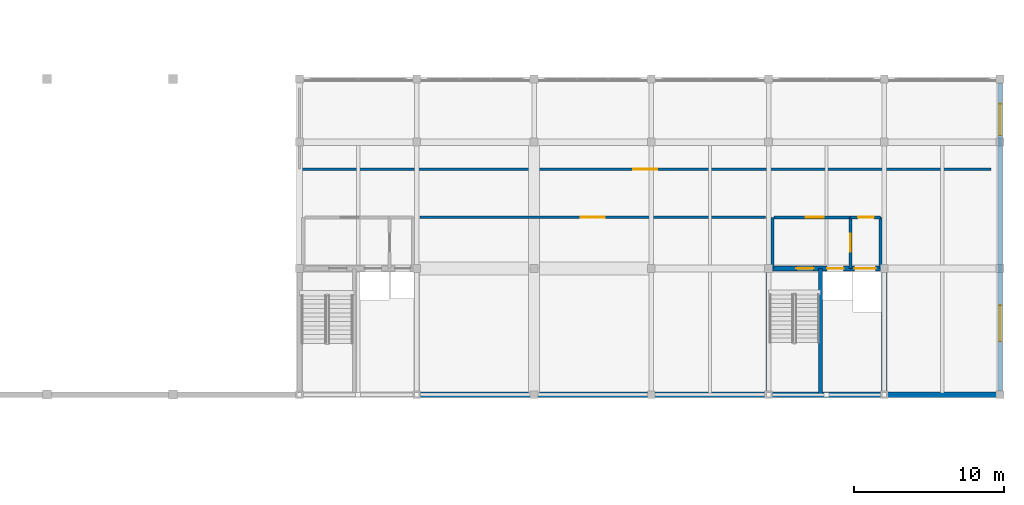
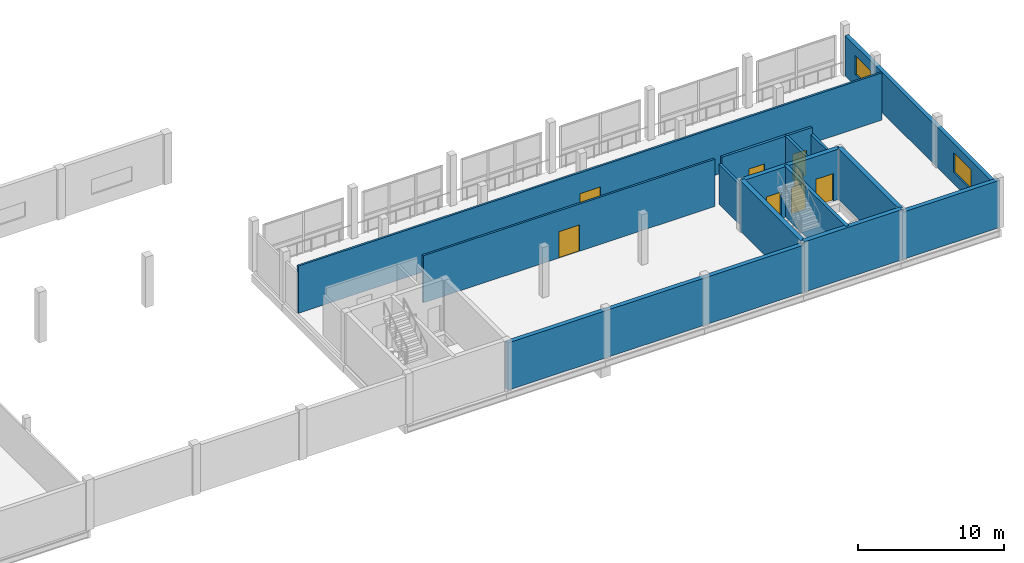
# One storey, part 44 of 53: 15 walls, 8 doors, 2 windows, 10 openings.
"""IFC4 building model written with IfcOpenShell, lengths in metres."""

import ifcopenshell
import ifcopenshell.guid

model = None  # the IFC model being written
_history = None  # IfcOwnerHistory: only IFC2X3 demands one
_inside = {}  # id of a spatial element -> (the spatial element, [elements in it])
_under = {}  # id of a project, library or spatial element -> (it, [spatial elements below it])
_declared = {}  # id of a project -> (the project, [libraries it declares])
_typed = {}  # id of a type object -> (the type object, [elements of that type])
_made_of = {}  # id of a material, layer set ... -> (it, [elements and type objects made of it])


def new_model(schema):
    """Start an empty IFC model of exactly this schema.

    Asked for "IFC4X3", IfcOpenShell would pick the latest addendum, in which some entities
    have other attributes; the version numbers below select the first issue.
    IFC2X3 requires an IfcOwnerHistory on every rooted entity: one is made here for all.
    """
    global model, _history
    if schema == "IFC4X3":
        model = ifcopenshell.file(schema_version=(4, 3, 0, 0))
    else:
        model = ifcopenshell.file(schema=schema)
    _inside.clear()
    _under.clear()
    _declared.clear()
    _typed.clear()
    _made_of.clear()
    _history = None
    if model.schema == "IFC2X3":
        org = make("IfcOrganization", Name="unknown")
        user = make(
            "IfcPersonAndOrganization",
            ThePerson=make("IfcPerson", FamilyName="unknown"),
            TheOrganization=org,
        )
        app = make(
            "IfcApplication",
            ApplicationDeveloper=org,
            Version="unknown",
            ApplicationFullName="unknown",
            ApplicationIdentifier="unknown",
        )
        _history = make(
            "IfcOwnerHistory",
            OwningUser=user,
            OwningApplication=app,
            ChangeAction="ADDED",
            CreationDate=0,
        )
    return model


def make(cls, **values):
    """One entity of the class cls with the attributes given. An attribute that is None is left unset."""
    return model.create_entity(
        cls, **{name: value for name, value in values.items() if value is not None}
    )


def rooted(cls, **values):
    """An entity with a GlobalId (a new one), such as an element, a storey or a relation."""
    return make(cls, GlobalId=ifcopenshell.guid.new(), OwnerHistory=_history, **values)


def si_unit(unit_type, name, prefix=None):
    """IfcSIUnit, for example si_unit("LENGTHUNIT", "METRE", prefix="MILLI")."""
    return make("IfcSIUnit", UnitType=unit_type, Prefix=prefix, Name=name)


def assignment(units):
    """IfcUnitAssignment: the units of a project."""
    return None if units is None else make("IfcUnitAssignment", Units=units)


def point(xyz):
    """IfcCartesianPoint."""
    return None if xyz is None else make("IfcCartesianPoint", Coordinates=xyz)


def direction(xyz):
    """IfcDirection."""
    return None if xyz is None else make("IfcDirection", DirectionRatios=xyz)


def frame(location, z_axis=None, x_axis=None):
    """IfcAxis2Placement3D, a coordinate frame: its origin and axes. An axis left out is left unset."""
    return make(
        "IfcAxis2Placement3D",
        Location=point(location),
        Axis=direction(z_axis),
        RefDirection=direction(x_axis),
    )


def frame_2d(location, x_axis=None):
    """IfcAxis2Placement2D, a coordinate frame in the plane: its origin and x axis."""
    return make(
        "IfcAxis2Placement2D", Location=point(location), RefDirection=direction(x_axis)
    )


def origin():
    """The frame at (0, 0, 0) with its axes left unset."""
    return frame((0.0, 0.0, 0.0))


def place(relative_to, where):
    """IfcLocalPlacement: puts the frame where relative to a parent placement (None: the world)."""
    return make(
        "IfcLocalPlacement", PlacementRelTo=relative_to, RelativePlacement=where
    )


def context(
    kind, dimensions, precision=None, world=None, true_north=None, identifier=None
):
    """IfcGeometricRepresentationContext, for example the 3D "Model" context."""
    return make(
        "IfcGeometricRepresentationContext",
        ContextIdentifier=identifier,
        ContextType=kind,
        CoordinateSpaceDimension=dimensions,
        Precision=precision,
        WorldCoordinateSystem=world,
        TrueNorth=true_north,
    )


def subcontext(parent, identifier, kind, view, scale=None):
    """IfcGeometricRepresentationSubContext, for example "Body" below "Model"."""
    return make(
        "IfcGeometricRepresentationSubContext",
        ContextIdentifier=identifier,
        ContextType=kind,
        ParentContext=parent,
        TargetScale=scale,
        TargetView=view,
    )


def project(units=None, contexts=None):
    """IfcProject with its units and contexts."""
    return rooted(
        "IfcProject",
        Name="project",
        RepresentationContexts=contexts,
        UnitsInContext=assignment(units),
    )


def spatial(cls, under=None, at=None, **own):
    """A site, building, storey or space (cls), placed at a placement, below another one or the project."""
    s = rooted(cls, ObjectPlacement=at, **own)
    if under is not None:
        _under.setdefault(under.id(), (under, []))[1].append(s)
    return s


def profile(cls, at=None, kind="AREA", **sizes):
    """A parametric profile (cls). Its sizes go by their IFC names, for example OverallWidth=200.0."""
    return make(cls, ProfileType=kind, Position=at, **sizes)


def rectangle(**sizes):
    """IfcRectangleProfileDef."""
    return profile("IfcRectangleProfileDef", **sizes)


def extrude(swept, where, along, depth):
    """IfcExtrudedAreaSolid: the profile swept, set in the frame where, extruded along a direction by depth."""
    return make(
        "IfcExtrudedAreaSolid",
        SweptArea=swept,
        Position=where,
        ExtrudedDirection=direction(along),
        Depth=depth,
    )


def shape(context_of_items, identifier, shape_type, items):
    """IfcShapeRepresentation: the items that make up one representation, for example the "Body"."""
    return make(
        "IfcShapeRepresentation",
        ContextOfItems=context_of_items,
        RepresentationIdentifier=identifier,
        RepresentationType=shape_type,
        Items=items,
    )


def material(Name=None, Category=None):
    """IfcMaterial."""
    return make("IfcMaterial", Name=Name, Category=Category)


def layer(
    of_material, thickness, ventilated=None, Name=None, Category=None, Priority=None
):
    """IfcMaterialLayer: one layer of a wall or slab, of a material (None: an air gap)."""
    return make(
        "IfcMaterialLayer",
        Material=of_material,
        LayerThickness=thickness,
        IsVentilated=ventilated,
        Name=Name,
        Category=Category,
        Priority=Priority,
    )


def layer_set(layers, Name=None):
    """IfcMaterialLayerSet."""
    return make("IfcMaterialLayerSet", MaterialLayers=layers, LayerSetName=Name)


def made_of(thing, what):
    """Note that an element or type object is made of a material, layer set ...; save() writes the relation."""
    if what is not None:
        _made_of.setdefault(what.id(), (what, []))[1].append(thing)
    return thing


def type_object(cls, material=None, **own):
    """A type object (cls), such as IfcWallType, which elements share."""
    return made_of(rooted(cls, **own), material)


def element(
    cls,
    number,
    at=None,
    inside=None,
    cuts=None,
    type_object=None,
    material=None,
    context=None,
    identifier="Body",
    shape_type=None,
    held_by="IfcProductDefinitionShape",
    body=None,
    shapes=None,
    **own,
):
    """One element of the class cls, such as IfcWall. Its Tag is "e" and its number.

    at: its placement. inside: the storey or other place that contains it. cuts: it is an
    opening in that element (IfcRelVoidsElement). A single representation is given by context,
    identifier, shape_type and body (its items); several are given by shapes. held_by: the class
    of the entity that holds the representations. save() writes the other relations.
    """
    e = rooted(cls, Tag="e%d" % number, ObjectPlacement=at, **own)
    if body is not None:
        shapes = [shape(context, identifier, shape_type, body)]
    if shapes is not None:
        e.Representation = make(held_by, Representations=shapes)
    if inside is not None:
        _inside.setdefault(inside.id(), (inside, []))[1].append(e)
    if cuts is not None:
        rooted(
            "IfcRelVoidsElement", RelatingBuildingElement=cuts, RelatedOpeningElement=e
        )
    if type_object is not None:
        _typed.setdefault(type_object.id(), (type_object, []))[1].append(e)
    return made_of(e, material)


def fill(opening, filler):
    """IfcRelFillsElement: the door or window that sits in an opening."""
    return rooted(
        "IfcRelFillsElement",
        RelatingOpeningElement=opening,
        RelatedBuildingElement=filler,
    )


def aggregate(whole, parts):
    """IfcRelAggregates: a whole, such as a stair, and the parts it consists of."""
    return rooted("IfcRelAggregates", RelatingObject=whole, RelatedObjects=parts)


def save(model, path):
    """Write the relations noted so far, then the file.

    IfcRelAggregates (storeys below a building ...), IfcRelContainedInSpatialStructure (elements
    in a storey), IfcRelDefinesByType, IfcRelAssociatesMaterial and IfcRelDeclares: one each for
    every whole, place, type object, material and project.
    """
    for whole, parts in _under.values():
        aggregate(whole, parts)
    for where, things in _inside.values():
        rooted(
            "IfcRelContainedInSpatialStructure",
            RelatedElements=things,
            RelatingStructure=where,
        )
    for kind, things in _typed.values():
        rooted("IfcRelDefinesByType", RelatedObjects=things, RelatingType=kind)
    for what, things in _made_of.values():
        rooted("IfcRelAssociatesMaterial", RelatedObjects=things, RelatingMaterial=what)
    for by, libraries in _declared.values():
        rooted("IfcRelDeclares", RelatingContext=by, RelatedDefinitions=libraries)
    model.write(path)


model = new_model("IFC4")

# Units and contexts
model_context = context("Model", 3, precision=1e-05, world=origin(), true_north=direction((0.0, 1.0)))
body_context = subcontext(model_context, "Body", "Model", "MODEL_VIEW")
ifc_project = project(units=[si_unit("LENGTHUNIT", "METRE"), si_unit("AREAUNIT", "SQUARE_METRE"), si_unit("VOLUMEUNIT", "CUBIC_METRE"), si_unit("PLANEANGLEUNIT", "RADIAN"), si_unit("MASSUNIT", "GRAM", prefix="KILO")], contexts=[model_context])

# Site, building, storey
site_placement = place(None, origin())
site = spatial("IfcSite", under=ifc_project, at=site_placement, CompositionType="ELEMENT")
building_placement = place(site_placement, origin())
building = spatial("IfcBuilding", under=site, at=building_placement, Name="Vharandega Faculty of Natural Sciences", CompositionType="ELEMENT")
storey_placement = place(building_placement, frame((0.0, 0.0, 10.199951171875)))
storey = spatial("IfcBuildingStorey", under=building, at=storey_placement, Name="L02", CompositionType="ELEMENT", Elevation=10.199951171875)

# Walls
ifc_material_1 = material(Name="Concrete C40/50", Category="concrete")
ifc_layer_1 = layer(ifc_material_1, 0.35009765625, Name="Concrete C40/50")
ifc_layer_set_1 = layer_set([ifc_layer_1], Name="Concrete C40/50")
wall_type_1 = type_object("IfcWallType", Name="Core Shear Wall 350", PredefinedType="SHEAR", material=ifc_layer_set_1)
wall_1_placement = place(storey_placement, frame((146.0, 64.0, 0.0), z_axis=(0.0, 0.0, 1.0), x_axis=(1.0, 0.0, 0.0)))
element("IfcWall", 1, at=wall_1_placement, inside=storey, type_object=wall_type_1, Name="Interior Wall CW-C2-L02-S", PredefinedType="SHEAR", context=body_context, shape_type="SweptSolid", body=[
    extrude(rectangle(XDim=7.699951171875, YDim=0.35009765625, at=frame_2d((3.85009765625, 0.0))), origin(), (0.0, 0.0, 1.0), 4.199951171875),
])
for number, where, z_axis, x_axis, name in (
    (2, (146.0, 64.0, 0.0), (0.0, 0.0, 1.0), (0.0, 1.0, 0.0), "Interior Wall CW-C2-L02-W"),
    (3, (153.699951171875, 64.0, 0.0), (0.0, 0.0, 1.0), (0.0, 1.0, 0.0), "Interior Wall CW-C2-L02-E"),
):
    element("IfcWall", number, at=place(storey_placement, frame(where, z_axis=z_axis, x_axis=x_axis)), inside=storey, type_object=wall_type_1, Name=name, PredefinedType="SHEAR", context=body_context, shape_type="SweptSolid", body=[
        extrude(rectangle(XDim=8.39990234375, YDim=0.35009765625, at=frame_2d((4.199951171875, 0.0))), origin(), (0.0, 0.0, 1.0), 4.199951171875),
    ])

# Wall, openings, doors
wall_2_placement = place(storey_placement, frame((146.0, 72.39990234375, 0.0), z_axis=(0.0, 0.0, 1.0), x_axis=(1.0, 0.0, 0.0)))
wall_2 = element("IfcWall", 4, at=wall_2_placement, inside=storey, type_object=wall_type_1, Name="Interior Wall CW-C2-L02-N", PredefinedType="SHEAR", context=body_context, shape_type="SweptSolid", body=[
    extrude(rectangle(XDim=7.699951171875, YDim=0.35009765625, at=frame_2d((3.85009765625, 0.0))), origin(), (0.0, 0.0, 1.0), 4.199951171875),
])
opening_1_placement = place(wall_2_placement, frame((1.85009765625, 0.0, 0.0)))
opening_1 = element("IfcOpeningElement", 5, at=opening_1_placement, cuts=wall_2, Name="Opening FD1", PredefinedType="OPENING", context=body_context, shape_type="SweptSolid", body=[
    extrude(rectangle(XDim=1.14990234375, YDim=2.199951171875, at=frame_2d((0.574951171875, 1.10009765625))), frame((0.0, 0.18505859375, 0.0), z_axis=(0.0, -1.0, 0.0), x_axis=(1.0, 0.0, 0.0)), (0.0, 0.0, 1.0), 0.3701171875),
])
opening_2_placement = place(wall_2_placement, frame((3.89990234375, 0.0, 0.0)))
opening_2 = element("IfcOpeningElement", 6, at=opening_2_placement, cuts=wall_2, Name="Opening LD-FL2-L02", PredefinedType="OPENING", context=body_context, shape_type="SweptSolid", body=[
    extrude(rectangle(XDim=1.10009765625, YDim=2.14990234375, at=frame_2d((0.550048828125, 1.074951171875))), frame((0.0, 0.18505859375, 0.0), z_axis=(0.0, -1.0, 0.0), x_axis=(1.0, 0.0, 0.0)), (0.0, 0.0, 1.0), 0.3701171875),
])
opening_3_placement = place(wall_2_placement, frame((5.719970703125, 0.0, 0.0)))
opening_3 = element("IfcOpeningElement", 7, at=opening_3_placement, cuts=wall_2, Name="Opening LD-LG1-L02", PredefinedType="OPENING", context=body_context, shape_type="SweptSolid", body=[
    extrude(rectangle(XDim=1.39990234375, YDim=2.300048828125, at=frame_2d((0.699951171875, 1.14990234375))), frame((0.0, 0.18505859375, 0.0), z_axis=(0.0, -1.0, 0.0), x_axis=(1.0, 0.0, 0.0)), (0.0, 0.0, 1.0), 0.3701171875),
])
ifc_material_2 = material(Name="Solid-core hardwood timber fire door", Category="wood")
door_type_1 = type_object("IfcDoorType", Name="FD1-STAIR-1150x2200", OperationType="NOTDEFINED", PredefinedType="DOOR", material=ifc_material_2)
door_1_placement = place(opening_1_placement, origin())
door_1 = element("IfcDoor", 8, at=door_1_placement, inside=storey, type_object=door_type_1, Name="Stair ST2 Fire Door FD1", OperationType="SINGLE_SWING_LEFT", OverallHeight=2.199951171875, OverallWidth=1.14990234375, PredefinedType="DOOR", context=body_context, shape_type="SweptSolid", body=[
    extrude(rectangle(XDim=1.14990234375, YDim=2.199951171875, at=frame_2d((0.574951171875, 1.10009765625))), frame((0.0, 0.02490234375, 0.0), z_axis=(0.0, -1.0, 0.0), x_axis=(1.0, 0.0, 0.0)), (0.0, 0.0, 1.0), 0.050048828125),
])
fill(opening_1, door_1)
ifc_material_3 = material(Name="Brushed stainless steel sliding landing door", Category="steel")
door_type_2 = type_object("IfcDoorType", Name="LD1-FFLIFT-SLIDING-1100x2150", OperationType="DOUBLE_DOOR_SLIDING", PredefinedType="DOOR", material=ifc_material_3)
door_2_placement = place(opening_2_placement, origin())
door_2 = element("IfcDoor", 9, at=door_2_placement, inside=storey, type_object=door_type_2, Name="Lift Landing Door LD-FL2-L02", OperationType="DOUBLE_DOOR_SLIDING", OverallHeight=2.14990234375, OverallWidth=1.10009765625, PredefinedType="DOOR", context=body_context, shape_type="SweptSolid", body=[
    extrude(rectangle(XDim=1.10009765625, YDim=2.14990234375, at=frame_2d((0.550048828125, 1.074951171875))), frame((0.0, 0.02490234375, 0.0), z_axis=(0.0, -1.0, 0.0), x_axis=(1.0, 0.0, 0.0)), (0.0, 0.0, 1.0), 0.050048828125),
])
fill(opening_2, door_2)
ifc_material_4 = material(Name="Brushed stainless steel sliding landing door", Category="steel")
door_type_3 = type_object("IfcDoorType", Name="LD3-GOODSLIFT-SLIDING-1400x2300", OperationType="DOUBLE_DOOR_SLIDING", PredefinedType="DOOR", material=ifc_material_4)
door_3_placement = place(opening_3_placement, origin())
door_3 = element("IfcDoor", 10, at=door_3_placement, inside=storey, type_object=door_type_3, Name="Lift Landing Door LD-LG1-L02", OperationType="DOUBLE_DOOR_SLIDING", OverallHeight=2.300048828125, OverallWidth=1.39990234375, PredefinedType="DOOR", context=body_context, shape_type="SweptSolid", body=[
    extrude(rectangle(XDim=1.39990234375, YDim=2.300048828125, at=frame_2d((0.699951171875, 1.14990234375))), frame((0.0, 0.02490234375, 0.0), z_axis=(0.0, -1.0, 0.0), x_axis=(1.0, 0.0, 0.0)), (0.0, 0.0, 1.0), 0.050048828125),
])
fill(opening_3, door_3)

# Wall, opening, door
ifc_material_5 = material(Name="Concrete C40/50", Category="concrete")
ifc_layer_2 = layer(ifc_material_5, 0.199951171875, Name="Concrete C40/50")
ifc_layer_set_2 = layer_set([ifc_layer_2], Name="Concrete C40/50")
wall_type_2 = type_object("IfcWallType", Name="Firefighting Lobby Wall 200", PredefinedType="PARTITIONING", material=ifc_layer_set_2)
wall_3_placement = place(storey_placement, frame((146.35009765625, 75.800048828125, 0.0), z_axis=(0.0, 0.0, 1.0), x_axis=(1.0, 0.0, 0.0)))
wall_3 = element("IfcWall", 11, at=wall_3_placement, inside=storey, type_object=wall_type_2, Name="Interior Wall PW-FFL-C2-L02-N", PredefinedType="PARTITIONING", context=body_context, shape_type="SweptSolid", body=[
    extrude(rectangle(XDim=5.099853515625, YDim=0.199951171875, at=frame_2d((2.5498046875, 0.0))), origin(), (0.0, 0.0, 1.0), 3.920166015625),
])
opening_4_placement = place(wall_3_placement, frame((2.125, 0.0, 0.0)))
opening_4 = element("IfcOpeningElement", 12, at=opening_4_placement, cuts=wall_3, Name="Opening FD2", PredefinedType="OPENING", context=body_context, shape_type="SweptSolid", body=[
    extrude(rectangle(XDim=1.199951171875, YDim=2.199951171875, at=frame_2d((0.60009765625, 1.10009765625))), frame((0.0, 0.10986328125, 0.0), z_axis=(0.0, -1.0, 0.0), x_axis=(1.0, 0.0, 0.0)), (0.0, 0.0, 1.0), 0.219970703125),
])
ifc_material_6 = material(Name="Solid-core hardwood timber fire door", Category="wood")
door_type_4 = type_object("IfcDoorType", Name="FD2-FFLOBBY-1200x2200", OperationType="NOTDEFINED", PredefinedType="DOOR", material=ifc_material_6)
door_4_placement = place(opening_4_placement, origin())
door_4 = element("IfcDoor", 13, at=door_4_placement, inside=storey, type_object=door_type_4, Name="Firefighting Lobby C2 Door FD2", OperationType="SINGLE_SWING_RIGHT", OverallHeight=2.199951171875, OverallWidth=1.199951171875, PredefinedType="DOOR", context=body_context, shape_type="SweptSolid", body=[
    extrude(rectangle(XDim=1.199951171875, YDim=2.199951171875, at=frame_2d((0.60009765625, 1.10009765625))), frame((0.0, 0.02490234375, 0.0), z_axis=(0.0, -1.0, 0.0), x_axis=(1.0, 0.0, 0.0)), (0.0, 0.0, 1.0), 0.050048828125),
])
fill(opening_4, door_4)

# Wall
wall_4_placement = place(storey_placement, frame((146.25, 72.39990234375, 0.0), z_axis=(0.0, 0.0, 1.0), x_axis=(0.0, 1.0, 0.0)))
element("IfcWall", 14, at=wall_4_placement, inside=storey, type_object=wall_type_2, Name="Interior Wall PW-FFL-C2-L02-W", PredefinedType="PARTITIONING", context=body_context, shape_type="SweptSolid", body=[
    extrude(rectangle(XDim=3.400146484375, YDim=0.199951171875, at=frame_2d((1.7001953125, 0.0))), origin(), (0.0, 0.0, 1.0), 3.360107421875),
])

# Wall, opening, door
wall_5_placement = place(storey_placement, frame((151.449951171875, 72.39990234375, 0.0), z_axis=(0.0, 0.0, 1.0), x_axis=(0.0, 1.0, 0.0)))
wall_5 = element("IfcWall", 15, at=wall_5_placement, inside=storey, type_object=wall_type_2, Name="Interior Wall PW-FFL-C2-L02-E", PredefinedType="PARTITIONING", context=body_context, shape_type="SweptSolid", body=[
    extrude(rectangle(XDim=3.400146484375, YDim=0.199951171875, at=frame_2d((1.7001953125, 0.0))), origin(), (0.0, 0.0, 1.0), 3.920166015625),
])
opening_5_placement = place(wall_5_placement, frame((1.10009765625, 0.0, 0.0)))
opening_5 = element("IfcOpeningElement", 16, at=opening_5_placement, cuts=wall_5, Name="Opening FD2", PredefinedType="OPENING", context=body_context, shape_type="SweptSolid", body=[
    extrude(rectangle(XDim=1.199951171875, YDim=2.199951171875, at=frame_2d((0.60009765625, 1.10009765625))), frame((0.0, 0.10986328125, 0.0), z_axis=(0.0, -1.0, 0.0), x_axis=(1.0, 0.0, 0.0)), (0.0, 0.0, 1.0), 0.219970703125),
])
door_5_placement = place(opening_5_placement, origin())
door_5 = element("IfcDoor", 17, at=door_5_placement, inside=storey, type_object=door_type_4, Name="Lobby Interconnect C2 Door FD2", OperationType="SINGLE_SWING_LEFT", OverallHeight=2.199951171875, OverallWidth=1.199951171875, PredefinedType="DOOR", context=body_context, shape_type="SweptSolid", body=[
    extrude(rectangle(XDim=1.199951171875, YDim=2.199951171875, at=frame_2d((0.60009765625, 1.10009765625))), frame((0.0, 0.02490234375, 0.0), z_axis=(0.0, -1.0, 0.0), x_axis=(1.0, 0.0, 0.0)), (0.0, 0.0, 1.0), 0.050048828125),
])
fill(opening_5, door_5)

wall_6_placement = place(storey_placement, frame((151.449951171875, 75.800048828125, 0.0), z_axis=(0.0, 0.0, 1.0), x_axis=(1.0, 0.0, 0.0)))
wall_6 = element("IfcWall", 18, at=wall_6_placement, inside=storey, type_object=wall_type_2, Name="Interior Wall PW-LL-C2-L02-N", PredefinedType="PARTITIONING", context=body_context, shape_type="SweptSolid", body=[
    extrude(rectangle(XDim=2.0, YDim=0.199951171875, at=frame_2d((1.0, 0.0))), origin(), (0.0, 0.0, 1.0), 3.920166015625),
])
opening_6_placement = place(wall_6_placement, frame((0.5, 0.0, 0.0)))
opening_6 = element("IfcOpeningElement", 19, at=opening_6_placement, cuts=wall_6, Name="Opening FD4", PredefinedType="OPENING", context=body_context, shape_type="SweptSolid", body=[
    extrude(rectangle(XDim=1.050048828125, YDim=2.14990234375, at=frame_2d((0.52490234375, 1.074951171875))), frame((0.0, 0.10986328125, 0.0), z_axis=(0.0, -1.0, 0.0), x_axis=(1.0, 0.0, 0.0)), (0.0, 0.0, 1.0), 0.219970703125),
])
ifc_material_7 = material(Name="Solid-core hardwood timber fire door", Category="wood")
door_type_5 = type_object("IfcDoorType", Name="FD4-LAB-SGL-1050x2150", OperationType="NOTDEFINED", PredefinedType="DOOR", material=ifc_material_7)
door_6_placement = place(opening_6_placement, origin())
door_6 = element("IfcDoor", 20, at=door_6_placement, inside=storey, type_object=door_type_5, Name="Lift Lobby C2 Door FD4", OperationType="SINGLE_SWING_RIGHT", OverallHeight=2.14990234375, OverallWidth=1.050048828125, PredefinedType="DOOR", context=body_context, shape_type="SweptSolid", body=[
    extrude(rectangle(XDim=1.050048828125, YDim=2.14990234375, at=frame_2d((0.52490234375, 1.074951171875))), frame((0.0, 0.02490234375, 0.0), z_axis=(0.0, -1.0, 0.0), x_axis=(1.0, 0.0, 0.0)), (0.0, 0.0, 1.0), 0.050048828125),
])
fill(opening_6, door_6)

# Walls
wall_7_placement = place(storey_placement, frame((153.449951171875, 72.39990234375, 0.0), z_axis=(0.0, 0.0, 1.0), x_axis=(0.0, 1.0, 0.0)))
element("IfcWall", 21, at=wall_7_placement, inside=storey, type_object=wall_type_2, Name="Interior Wall PW-LL-C2-L02-E", PredefinedType="PARTITIONING", context=body_context, shape_type="SweptSolid", body=[
    extrude(rectangle(XDim=3.400146484375, YDim=0.199951171875, at=frame_2d((1.7001953125, 0.0))), origin(), (0.0, 0.0, 1.0), 3.360107421875),
])
ifc_material_8 = material(Name="Granite ashlar masonry 25 MPa", Category="masonry")
ifc_layer_3 = layer(ifc_material_8, 0.340087890625, Name="Granite ashlar masonry 25 MPa")
ifc_layer_set_3 = layer_set([ifc_layer_3], Name="Granite ashlar masonry 25 MPa")
wall_type_3 = type_object("IfcWallType", Name="Imperforate Party Wall 340", PredefinedType="SOLIDWALL", material=ifc_layer_set_3)
wall_8_placement = place(storey_placement, frame((146.0, 64.0, 0.0), z_axis=(0.0, 0.0, 1.0), x_axis=(-1.0, 0.0, 0.0)))
element("IfcWall", 22, at=wall_8_placement, inside=storey, type_object=wall_type_3, Name="Exterior Wall EW-PTY-L02-J2A", PredefinedType="SOLIDWALL", context=body_context, shape_type="SweptSolid", body=[
    extrude(rectangle(XDim=23.39990234375, YDim=0.340087890625, at=frame_2d((11.699951171875, 0.0))), origin(), (0.0, 0.0, 1.0), 3.93994140625),
])
wall_9_placement = place(storey_placement, frame((161.39990234375, 64.0, 0.0), z_axis=(0.0, 0.0, 1.0), x_axis=(-1.0, 0.0, 0.0)))
element("IfcWall", 23, at=wall_9_placement, inside=storey, type_object=wall_type_3, Name="Exterior Wall EW-PTY-L02-J2B", PredefinedType="SOLIDWALL", context=body_context, shape_type="SweptSolid", body=[
    extrude(rectangle(XDim=7.699951171875, YDim=0.340087890625, at=frame_2d((3.85009765625, 0.0))), origin(), (0.0, 0.0, 1.0), 3.93994140625),
])

# Wall, opening, door
ifc_material_9 = material(Name="Gypsum fire-board on steel stud", Category="steel")
ifc_layer_4 = layer(ifc_material_9, 0.159912109375, Name="Gypsum fire-board on steel stud")
ifc_layer_set_4 = layer_set([ifc_layer_4], Name="Gypsum fire-board on steel stud")
wall_type_4 = type_object("IfcWallType", Name="Laboratory Fire Corridor Wall 160", PredefinedType="PARTITIONING", material=ifc_layer_set_4)
wall_10_placement = place(storey_placement, frame((122.800048828125, 75.800048828125, 0.0), z_axis=(0.0, 0.0, 1.0), x_axis=(1.0, 0.0, 0.0)))
wall_10 = element("IfcWall", 24, at=wall_10_placement, inside=storey, type_object=wall_type_4, Name="Interior Wall PW-L02-R15N", PredefinedType="PARTITIONING", context=body_context, shape_type="SweptSolid", body=[
    extrude(rectangle(XDim=23.0, YDim=0.159912109375, at=frame_2d((11.5, 0.0))), origin(), (0.0, 0.0, 1.0), 3.93994140625),
])
opening_7_placement = place(wall_10_placement, frame((10.699951171875, 0.0, 0.0)))
opening_7 = element("IfcOpeningElement", 25, at=opening_7_placement, cuts=wall_10, Name="Opening FD3", PredefinedType="OPENING", context=body_context, shape_type="SweptSolid", body=[
    extrude(rectangle(XDim=1.60009765625, YDim=2.199951171875, at=frame_2d((0.800048828125, 1.10009765625))), frame((0.0, 0.08984375, 0.0), z_axis=(0.0, -1.0, 0.0), x_axis=(1.0, 0.0, 0.0)), (0.0, 0.0, 1.0), 0.179931640625),
])
ifc_material_10 = material(Name="Solid-core hardwood timber fire door", Category="wood")
door_type_6 = type_object("IfcDoorType", Name="FD3-LAB-DBL-1600x2200", OperationType="DOUBLE_DOOR_SINGLE_SWING", PredefinedType="DOOR", material=ifc_material_10)
door_7_placement = place(opening_7_placement, origin())
door_7 = element("IfcDoor", 26, at=door_7_placement, inside=storey, type_object=door_type_6, Name="Undergraduate Organic Chemistry Teaching Laboratory Door FD3", OperationType="DOUBLE_DOOR_SINGLE_SWING", OverallHeight=2.199951171875, OverallWidth=1.60009765625, PredefinedType="DOOR", context=body_context, shape_type="SweptSolid", body=[
    extrude(rectangle(XDim=1.60009765625, YDim=2.199951171875, at=frame_2d((0.800048828125, 1.10009765625))), frame((0.0, 0.02490234375, 0.0), z_axis=(0.0, -1.0, 0.0), x_axis=(1.0, 0.0, 0.0)), (0.0, 0.0, 1.0), 0.050048828125),
])
fill(opening_7, door_7)

wall_11_placement = place(storey_placement, frame((114.800048828125, 79.0, 0.0), z_axis=(0.0, 0.0, 1.0), x_axis=(1.0, 0.0, 0.0)))
wall_11 = element("IfcWall", 27, at=wall_11_placement, inside=storey, type_object=wall_type_4, Name="Interior Wall PW-L02-R16S", PredefinedType="PARTITIONING", context=body_context, shape_type="SweptSolid", body=[
    extrude(rectangle(XDim=46.0, YDim=0.159912109375, at=frame_2d((23.0, 0.0))), origin(), (0.0, 0.0, 1.0), 3.93994140625),
])
opening_8_placement = place(wall_11_placement, frame((22.199951171875, 0.0, 0.0)))
opening_8 = element("IfcOpeningElement", 28, at=opening_8_placement, cuts=wall_11, Name="Opening FD3", PredefinedType="OPENING", context=body_context, shape_type="SweptSolid", body=[
    extrude(rectangle(XDim=1.60009765625, YDim=2.199951171875, at=frame_2d((0.800048828125, 1.10009765625))), frame((0.0, 0.08984375, 0.0), z_axis=(0.0, -1.0, 0.0), x_axis=(1.0, 0.0, 0.0)), (0.0, 0.0, 1.0), 0.179931640625),
])
door_8_placement = place(opening_8_placement, origin())
door_8 = element("IfcDoor", 29, at=door_8_placement, inside=storey, type_object=door_type_6, Name="Undergraduate Physics Mechanics Laboratory Door FD3", OperationType="DOUBLE_DOOR_SINGLE_SWING", OverallHeight=2.199951171875, OverallWidth=1.60009765625, PredefinedType="DOOR", context=body_context, shape_type="SweptSolid", body=[
    extrude(rectangle(XDim=1.60009765625, YDim=2.199951171875, at=frame_2d((0.800048828125, 1.10009765625))), frame((0.0, 0.02490234375, 0.0), z_axis=(0.0, -1.0, 0.0), x_axis=(1.0, 0.0, 0.0)), (0.0, 0.0, 1.0), 0.050048828125),
])
fill(opening_8, door_8)

# Wall
ifc_material_11 = material(Name="Concrete C40/50", Category="concrete")
ifc_layer_5 = layer(ifc_material_11, 0.260009765625, Name="Concrete C40/50")
ifc_layer_set_5 = layer_set([ifc_layer_5], Name="Concrete C40/50")
wall_type_5 = type_object("IfcWallType", Name="Lift Shaft Shear Wall 260", PredefinedType="SHEAR", material=ifc_layer_set_5)
wall_12_placement = place(storey_placement, frame((149.4599609375, 64.0, 0.0), z_axis=(0.0, 0.0, 1.0), x_axis=(0.0, 1.0, 0.0)))
element("IfcWall", 30, at=wall_12_placement, inside=storey, type_object=wall_type_5, Name="Interior Wall CW-C2-L02-DIV", PredefinedType="SHEAR", context=body_context, shape_type="SweptSolid", body=[
    extrude(rectangle(XDim=8.39990234375, YDim=0.260009765625, at=frame_2d((4.199951171875, 0.0))), origin(), (0.0, 0.0, 1.0), 4.199951171875),
])

# Wall, openings, windows
ifc_material_12 = material(Name="Precast concrete C40/50", Category="concrete")
ifc_layer_6 = layer(ifc_material_12, 0.300048828125, Name="Precast concrete C40/50")
ifc_layer_set_6 = layer_set([ifc_layer_6], Name="Precast concrete C40/50")
wall_type_6 = type_object("IfcWallType", Name="Polychrome Precast Facade Wall 300", PredefinedType="SOLIDWALL", material=ifc_layer_set_6)
wall_13_placement = place(storey_placement, frame((161.39990234375, 84.741943359375, 0.0), z_axis=(0.0, 0.0, 1.0), x_axis=(0.0, -1.0, 0.0)))
wall_13 = element("IfcWall", 31, at=wall_13_placement, inside=storey, type_object=wall_type_6, Name="Exterior Wall EW-L02-V4E", PredefinedType="SOLIDWALL", context=body_context, shape_type="SweptSolid", body=[
    extrude(rectangle(XDim=20.48388671875, YDim=0.300048828125, at=frame_2d((10.241943359375, 0.0))), origin(), (0.0, 0.0, 1.0), 3.360107421875),
])
opening_9_placement = place(wall_13_placement, frame((1.39208984375, 0.0, 0.949951171875)))
opening_9 = element("IfcOpeningElement", 32, at=opening_9_placement, cuts=wall_13, Name="Opening WN-22", PredefinedType="OPENING", context=body_context, shape_type="SweptSolid", body=[
    extrude(rectangle(XDim=2.10009765625, YDim=1.60009765625, at=frame_2d((1.050048828125, 0.800048828125))), frame((0.0, 0.16015625, 0.0), z_axis=(0.0, -1.0, 0.0), x_axis=(1.0, 0.0, 0.0)), (0.0, 0.0, 1.0), 0.320068359375),
])
opening_10_placement = place(wall_13_placement, frame((14.7919921875, 0.0, 0.949951171875)))
opening_10 = element("IfcOpeningElement", 33, at=opening_10_placement, cuts=wall_13, Name="Opening WN-24", PredefinedType="OPENING", context=body_context, shape_type="SweptSolid", body=[
    extrude(rectangle(XDim=2.39990234375, YDim=1.64990234375, at=frame_2d((1.199951171875, 0.824951171875))), frame((0.0, 0.16015625, 0.0), z_axis=(0.0, -1.0, 0.0), x_axis=(1.0, 0.0, 0.0)), (0.0, 0.0, 1.0), 0.320068359375),
])
ifc_material_13 = material(Name="Double-glazed solar-control glass in thermally broken aluminium frame", Category="aluminium")
window_type_1 = type_object("IfcWindowType", Name="WIN-SEM-210x160", PartitioningType="DOUBLE_PANEL_VERTICAL", PredefinedType="WINDOW", material=ifc_material_13)
window_1_placement = place(opening_9_placement, origin())
window_1 = element("IfcWindow", 34, at=window_1_placement, inside=storey, type_object=window_type_1, Name="Window WIN-L02-0005", OverallHeight=1.60009765625, OverallWidth=2.10009765625, PartitioningType="SINGLE_PANEL", PredefinedType="WINDOW", context=body_context, shape_type="SweptSolid", body=[
    extrude(rectangle(XDim=2.10009765625, YDim=1.60009765625, at=frame_2d((1.050048828125, 0.800048828125))), frame((0.0, 0.030029296875, 0.0), z_axis=(0.0, -1.0, 0.0), x_axis=(1.0, 0.0, 0.0)), (0.0, 0.0, 1.0), 0.06005859375),
])
fill(opening_9, window_1)
ifc_material_14 = material(Name="Double-glazed solar-control glass in thermally broken aluminium frame", Category="aluminium")
window_type_2 = type_object("IfcWindowType", Name="WIN-SEM-240x165", PartitioningType="DOUBLE_PANEL_VERTICAL", PredefinedType="WINDOW", material=ifc_material_14)
window_2_placement = place(opening_10_placement, origin())
window_2 = element("IfcWindow", 35, at=window_2_placement, inside=storey, type_object=window_type_2, Name="Window WIN-L02-0006", OverallHeight=1.64990234375, OverallWidth=2.39990234375, PartitioningType="SINGLE_PANEL", PredefinedType="WINDOW", context=body_context, shape_type="SweptSolid", body=[
    extrude(rectangle(XDim=2.39990234375, YDim=1.64990234375, at=frame_2d((1.199951171875, 0.824951171875))), frame((0.0, 0.030029296875, 0.0), z_axis=(0.0, -1.0, 0.0), x_axis=(1.0, 0.0, 0.0)), (0.0, 0.0, 1.0), 0.06005859375),
])
fill(opening_10, window_2)

save(model, "model.ifc")
